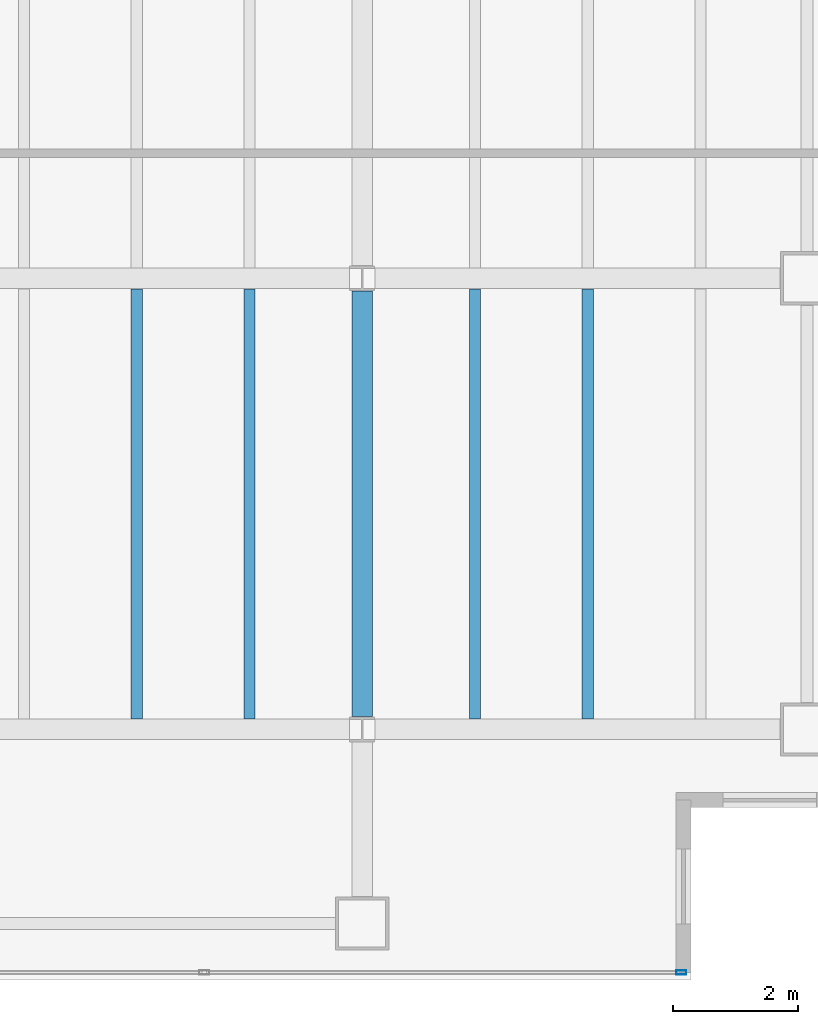
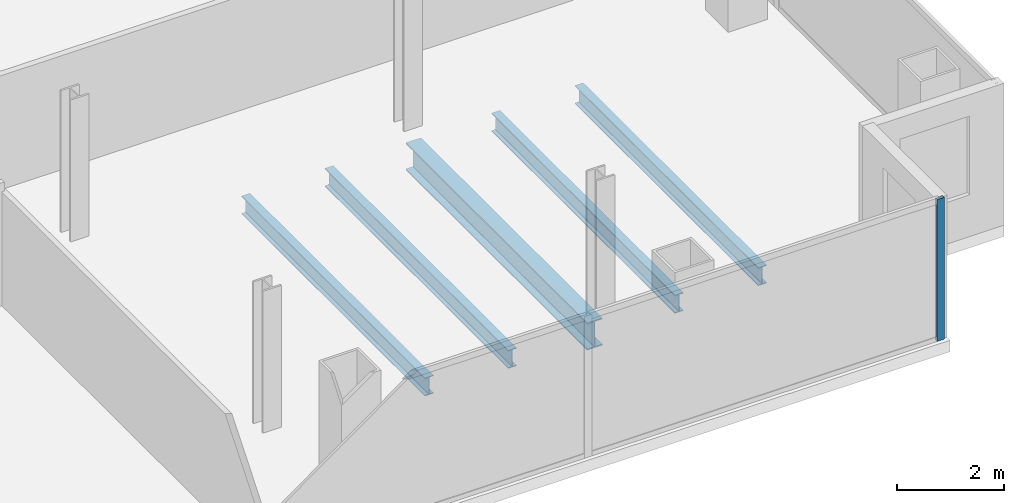
# One storey, part 11 of 23: 5 beams, 1 member, 1 element without a shape of its own.
"""IFC4 building model written with IfcOpenShell, lengths in metres."""

from ifc_helpers import new_model, si_unit, direction, frame, origin, origin_2d, place, context, subcontext, project, spatial, hollow_rectangle, i_section, extrude, material, material_profile, profile_set, type_object, element, aggregate, save


model = new_model("IFC4")

# Units and contexts
model_context = context("Model", 3, precision=1e-05, world=origin(), true_north=direction((0.0, 1.0)))
body_context = subcontext(model_context, "Body", "Model", "MODEL_VIEW")
ifc_project = project(units=[si_unit("LENGTHUNIT", "METRE"), si_unit("AREAUNIT", "SQUARE_METRE"), si_unit("VOLUMEUNIT", "CUBIC_METRE"), si_unit("PLANEANGLEUNIT", "RADIAN"), si_unit("MASSUNIT", "GRAM", prefix="KILO")], contexts=[model_context])

# Site, building, storey
site_placement = place(None, origin())
site = spatial("IfcSite", under=ifc_project, at=site_placement, CompositionType="ELEMENT")
building_placement = place(site_placement, origin())
building = spatial("IfcBuilding", under=site, at=building_placement, Name="Cobrela Telecom Tower", CompositionType="ELEMENT")
storey_placement = place(building_placement, frame((0.0, 0.0, 183.75)))
storey = spatial("IfcBuildingStorey", under=building, at=storey_placement, Name="L46", CompositionType="ELEMENT", Elevation=183.75)

# Beams
ifc_material_1 = material(Name="Steel ASTM A992 Grade 50", Category="steel")
ifc_material_profile_1 = material_profile(ifc_material_1, i_section(OverallWidth=0.327880859375, OverallDepth=0.6220703125, WebThickness=0.015380859375, FlangeThickness=0.0244140625, FilletRadius=0.014892578125, at=origin_2d()), Name="W24X131")
ifc_profile_set_1 = profile_set([ifc_material_profile_1], Name="Steel ASTM A992 Grade 50")
beam_type_1 = type_object("IfcBeamType", Name="BM-GIRD-06", PredefinedType="USERDEFINED", material=ifc_profile_set_1)
beam_placement = place(storey_placement, frame((36.0, 7.404541015625, -0.571044921875), z_axis=(0.0, 1.0, 0.0), x_axis=(-1.0, 0.0, 0.0)))
element("IfcBeam", 1, at=beam_placement, inside=storey, type_object=beam_type_1, Name="L46 Primary Girder Y40", ObjectType="GIRDER", PredefinedType="USERDEFINED", context=body_context, shape_type="SweptSolid", body=[
    extrude(i_section(OverallWidth=0.327880859375, OverallDepth=0.6220703125, WebThickness=0.015380859375, FlangeThickness=0.0244140625, FilletRadius=0.014892578125, at=origin_2d()), origin(), (0.0, 0.0, 1.0), 6.791015625),
])
ifc_material_profile_2 = material_profile(ifc_material_1, i_section(OverallWidth=0.179931640625, OverallDepth=0.4169921875, WebThickness=0.010986328125, FlangeThickness=0.01806640625, FilletRadius=0.011962890625, at=origin_2d()), Name="W16X57")
ifc_profile_set_2 = profile_set([ifc_material_profile_2], Name="Steel ASTM A992 Grade 50")
beam_type_2 = type_object("IfcBeamType", Name="BM-JOIST-04", PredefinedType="JOIST", material=ifc_profile_set_2)
for number, where, z_axis, x_axis, name in (
    (2, (32.39990234375, 7.368896484375, -0.468505859375), (0.0, 1.0, 0.0), (-1.0, 0.0, 0.0), "L46 Secondary Composite Floor Beam J21"),
    (3, (34.199951171875, 7.368896484375, -0.468505859375), (0.0, 1.0, 0.0), (-1.0, 0.0, 0.0), "L46 Secondary Composite Floor Beam J23"),
    (4, (37.800048828125, 7.368896484375, -0.468505859375), (0.0, 1.0, 0.0), (-1.0, 0.0, 0.0), "L46 Secondary Composite Floor Beam J25"),
    (5, (39.60009765625, 7.368896484375, -0.468505859375), (0.0, 1.0, 0.0), (-1.0, 0.0, 0.0), "L46 Secondary Composite Floor Beam J27"),
):
    element("IfcBeam", number, at=place(storey_placement, frame(where, z_axis=z_axis, x_axis=x_axis)), inside=storey, type_object=beam_type_2, Name=name, PredefinedType="JOIST", context=body_context, shape_type="SweptSolid", body=[
        extrude(i_section(OverallWidth=0.179931640625, OverallDepth=0.4169921875, WebThickness=0.010986328125, FlangeThickness=0.01806640625, FilletRadius=0.011962890625, at=origin_2d()), origin(), (0.0, 0.0, 1.0), 6.862060546875),
    ])

# Curtain wall, member
ifc_material_2 = material(Name="Anodized Bronze Aluminium 6063-T6", Category="aluminium")
curtain_wall_type = type_object("IfcCurtainWallType", Name="CW-SYS-OFF-LO", PredefinedType="USERDEFINED", material=ifc_material_2)
curtain_wall_placement = place(storey_placement, origin())
curtain_wall = element("IfcCurtainWall", 6, at=curtain_wall_placement, inside=storey, type_object=curtain_wall_type, Name="L46 Unitised Bronze Curtain Wall 17", ObjectType="UNITISED CURTAIN WALL", PredefinedType="USERDEFINED")
ifc_material_profile_3 = material_profile(ifc_material_2, hollow_rectangle(XDim=0.070068359375, YDim=0.159912109375, WallThickness=0.00390625, at=origin_2d()), Name="ALU 70x160x4")
ifc_profile_set_3 = profile_set([ifc_material_profile_3], Name="Anodized Bronze Aluminium 6063-T6")
member_type = type_object("IfcMemberType", Name="CW-SYS-OFF-LO-MUL", PredefinedType="MULLION", material=ifc_profile_set_3)
member_placement = place(storey_placement, frame((41.094970703125, 3.320068359375, 0.0), z_axis=(0.0, 0.0, 1.0), x_axis=(0.0, -1.0, 0.0)))
member = element("IfcMember", 7, at=member_placement, type_object=member_type, Name="CW-OFF-LO mullion 1", PredefinedType="MULLION", context=body_context, shape_type="SweptSolid", body=[
    extrude(hollow_rectangle(XDim=0.070068359375, YDim=0.159912109375, WallThickness=0.00390625, at=origin_2d()), origin(), (0.0, 0.0, 1.0), 3.239990234375),
])
aggregate(curtain_wall, [member])

save(model, "model.ifc")
